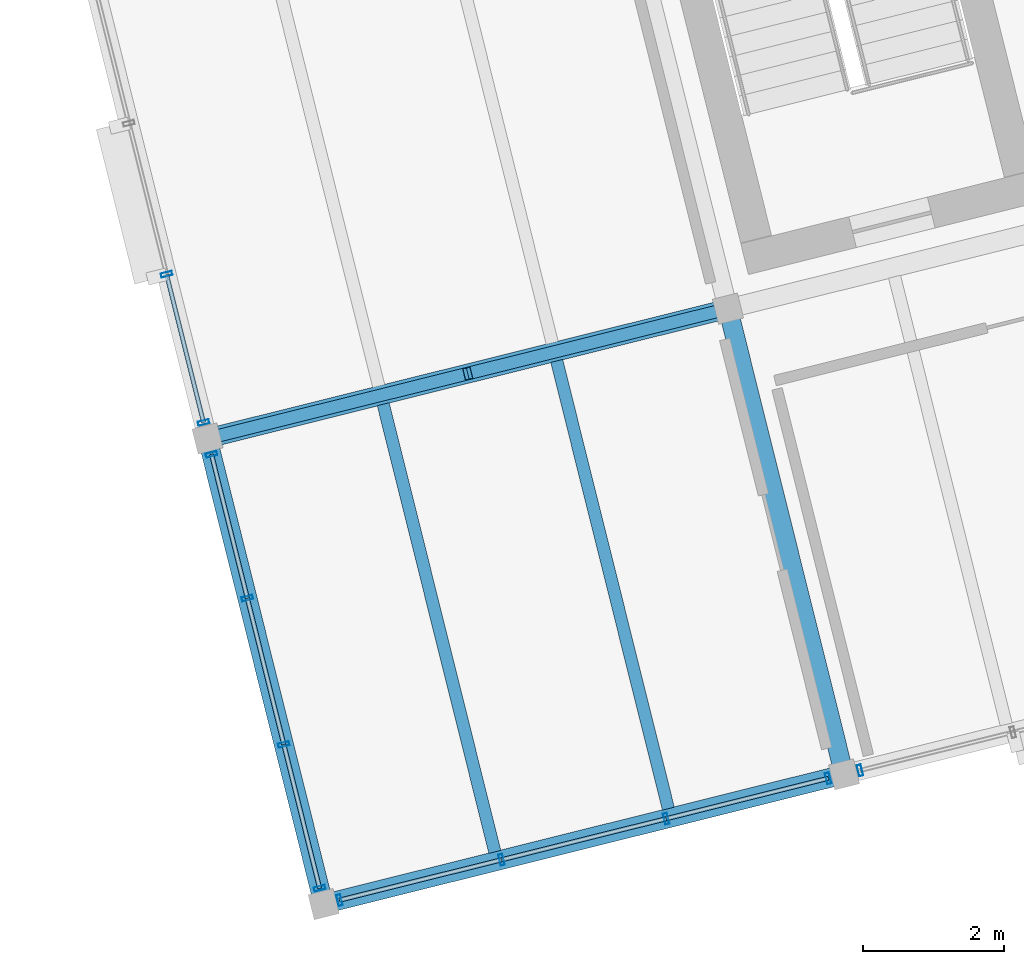
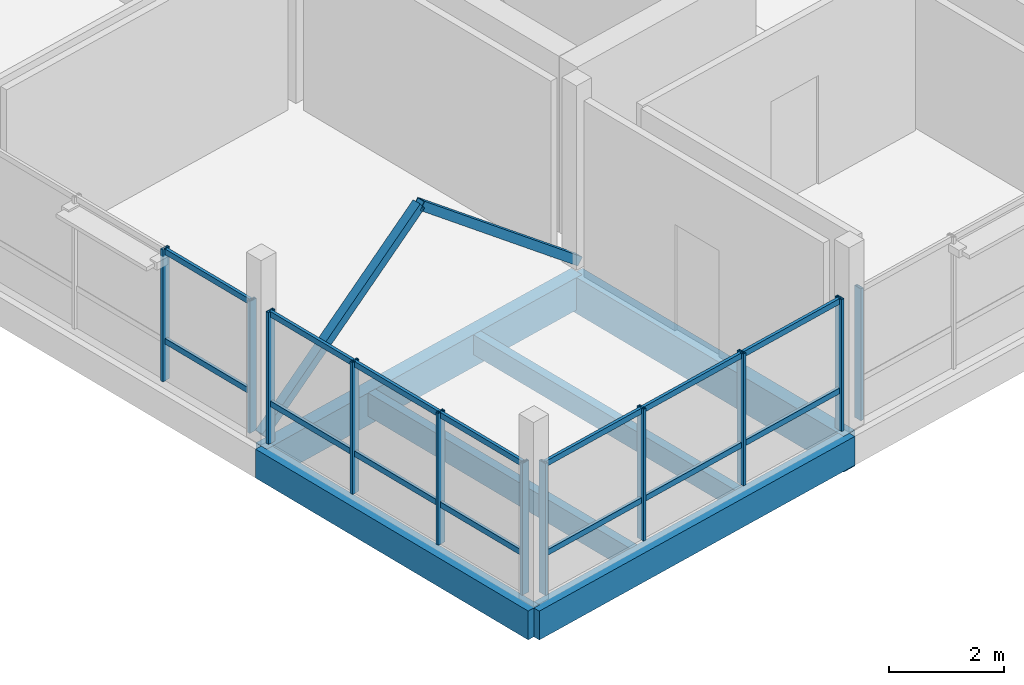
# One storey, part 2 of 28: 27 members, 6 beams, 4 elements without a shape of their own.
"""IFC4 building model written with IfcOpenShell, lengths in metres."""

from ifc_helpers import new_model, si_unit, direction, frame, origin, origin_2d, place, context, subcontext, project, spatial, rectangle, hollow_rectangle, extrude, material, layer, layer_set, material_profile, profile_set, type_object, element, aggregate, save


model = new_model("IFC4")

# Units and contexts
model_context = context("Model", 3, precision=1e-05, world=origin(), true_north=direction((0.0, 1.0)))
body_context = subcontext(model_context, "Body", "Model", "MODEL_VIEW")
ifc_project = project(units=[si_unit("LENGTHUNIT", "METRE"), si_unit("AREAUNIT", "SQUARE_METRE"), si_unit("VOLUMEUNIT", "CUBIC_METRE"), si_unit("PLANEANGLEUNIT", "RADIAN"), si_unit("MASSUNIT", "GRAM", prefix="KILO")], contexts=[model_context])

# Site, building, storey
site_placement = place(None, origin())
site = spatial("IfcSite", under=ifc_project, at=site_placement, CompositionType="ELEMENT")
building_placement = place(site_placement, origin())
building = spatial("IfcBuilding", under=site, at=building_placement, Name="Meriwether Solvik Hall", CompositionType="ELEMENT")
storey_placement = place(building_placement, frame((0.0, 0.0, 45.60009765625)))
storey = spatial("IfcBuildingStorey", under=building, at=storey_placement, Name="L11", CompositionType="ELEMENT", Elevation=45.60009765625)

# Beams
ifc_material_1 = material(Name="Glulam Douglas-Fir 24F-V8 GL28h", Category="wood")
ifc_material_profile_1 = material_profile(ifc_material_1, rectangle(XDim=0.27294921875, YDim=0.610107421875, at=origin_2d()), Name="GLB-273X610")
ifc_profile_set_1 = profile_set([ifc_material_profile_1], Name="Glulam Douglas-Fir 24F-V8 GL28h")
beam_type_1 = type_object("IfcBeamType", Name="BM-GL-273X610", PredefinedType="SPANDREL", material=ifc_profile_set_1)
beam_1_placement = place(storey_placement, frame((68.60009765625, 41.199951171875, -0.505126953125), z_axis=(0.970295366785, 0.241923337436, 0.0), x_axis=(-0.241923337436, 0.970295366785, 0.0)))
element("IfcBeam", 1, at=beam_1_placement, inside=storey, type_object=beam_type_1, Name="Tower Girder TA:T1-T2 (L11)", PredefinedType="SPANDREL", context=body_context, shape_type="SweptSolid", body=[
    extrude(rectangle(XDim=0.27294921875, YDim=0.610107421875, at=origin_2d()), origin(), (0.0, 0.0, 1.0), 7.60009765625),
])
beam_2_placement = place(storey_placement, frame((68.60009765625, 41.199951171875, -0.505126953125), z_axis=(-0.241944251278, 0.970290152106, 0.0), x_axis=(-0.970290152106, -0.241944251278, 0.0)))
element("IfcBeam", 2, at=beam_2_placement, inside=storey, type_object=beam_type_1, Name="Tower Girder T1:TA-TB (L11)", PredefinedType="SPANDREL", context=body_context, shape_type="SweptSolid", body=[
    extrude(rectangle(XDim=0.27294921875, YDim=0.610107421875, at=origin_2d()), origin(), (0.0, 0.0, 1.0), 6.80029296875),
])
ifc_material_2 = material(Name="Glulam Douglas-Fir 24F-V8 GL28h", Category="wood")
ifc_material_profile_2 = material_profile(ifc_material_2, rectangle(XDim=0.27294921875, YDim=0.68505859375, at=origin_2d()), Name="GLB-273X685")
ifc_profile_set_2 = profile_set([ifc_material_profile_2], Name="Glulam Douglas-Fir 24F-V8 GL28h")
beam_type_2 = type_object("IfcBeamType", Name="BM-GL-273X685", PredefinedType="BEAM", material=ifc_profile_set_2)
beam_3_placement = place(storey_placement, frame((66.954833984375, 47.798095703125, -0.54248046875), z_axis=(0.970295366785, 0.241923337436, 0.0), x_axis=(-0.241923337436, 0.970295366785, 0.0)))
element("IfcBeam", 3, at=beam_3_placement, inside=storey, type_object=beam_type_2, Name="Tower Girder TB:T1-T2 (L11)", PredefinedType="BEAM", context=body_context, shape_type="SweptSolid", body=[
    extrude(rectangle(XDim=0.27294921875, YDim=0.68505859375, at=origin_2d()), origin(), (0.0, 0.0, 1.0), 7.60009765625),
])
ifc_material_3 = material(Name="Glulam Douglas-Fir 24F-V8 GL28h", Category="wood")
ifc_material_profile_3 = material_profile(ifc_material_3, rectangle(XDim=0.27294921875, YDim=0.760009765625, at=origin_2d()), Name="GLB-273X760")
ifc_profile_set_3 = profile_set([ifc_material_profile_3], Name="Glulam Douglas-Fir 24F-V8 GL28h")
beam_type_3 = type_object("IfcBeamType", Name="BM-GL-273X760", PredefinedType="BEAM", material=ifc_profile_set_3)
beam_4_placement = place(storey_placement, frame((75.974365234375, 43.03857421875, -0.580078125), z_axis=(-0.241944251278, 0.970290152106, 0.0), x_axis=(-0.970290152106, -0.241944251278, 0.0)))
element("IfcBeam", 4, at=beam_4_placement, inside=storey, type_object=beam_type_3, Name="Tower Girder T2:TA-TB (L11)", PredefinedType="BEAM", context=body_context, shape_type="SweptSolid", body=[
    extrude(rectangle(XDim=0.27294921875, YDim=0.760009765625, at=origin_2d()), origin(), (0.0, 0.0, 1.0), 6.80029296875),
])

# Curtain wall, members
ifc_material_4 = material(Name="Thermally Broken Anodised Aluminium 6063-T6 and Low-E Glass", Category="aluminium")
ifc_layer_1 = layer(ifc_material_4, 0.179931640625)
ifc_layer_set_1 = layer_set([ifc_layer_1], Name="Thermally Broken Anodised Aluminium 6063-T6 and Low-E Glass")
curtain_wall_type_1 = type_object("IfcCurtainWallType", Name="CW-UNIT-B", PredefinedType="USERDEFINED", material=ifc_layer_set_1)
curtain_wall_1_placement = place(storey_placement, origin())
curtain_wall_1 = element("IfcCurtainWall", 5, at=curtain_wall_1_placement, inside=storey, type_object=curtain_wall_type_1, Name="Curtain Wall E0_B0 (L11)", ObjectType="UNITISED CURTAIN WALL", PredefinedType="USERDEFINED")
ifc_material_5 = material(Name="Anodised Aluminium 6063-T6", Category="aluminium")
ifc_material_profile_4 = material_profile(ifc_material_5, hollow_rectangle(XDim=0.06005859375, YDim=0.159912109375, WallThickness=0.00390625, at=origin_2d()), Name="CWM-60X160")
ifc_profile_set_4 = profile_set([ifc_material_profile_4], Name="Anodised Aluminium 6063-T6")
member_type_1 = type_object("IfcMemberType", Name="CW-MUL-60X160", PredefinedType="MULLION", material=ifc_profile_set_4)
member_1_placement = place(storey_placement, frame((75.74853515625, 42.982421875, 0.0), z_axis=(0.0, 0.0, 1.0), x_axis=(-0.970295715501, -0.241921938817, 0.0)))
member_1 = element("IfcMember", 6, at=member_1_placement, type_object=member_type_1, Name="Curtain Wall Mullion 1", PredefinedType="MULLION", context=body_context, shape_type="SweptSolid", body=[
    extrude(hollow_rectangle(XDim=0.06005859375, YDim=0.159912109375, WallThickness=0.00390625, at=origin_2d()), origin(), (0.0, 0.0, 1.0), 2.789794921875),
])
member_2_placement = place(storey_placement, frame((73.453369140625, 42.41015625, 0.0), z_axis=(0.0, 0.0, 1.0), x_axis=(-0.970295715501, -0.241921938817, 0.0)))
member_2 = element("IfcMember", 7, at=member_2_placement, type_object=member_type_1, Name="Curtain Wall Mullion 2", PredefinedType="MULLION", context=body_context, shape_type="SweptSolid", body=[
    extrude(hollow_rectangle(XDim=0.06005859375, YDim=0.159912109375, WallThickness=0.00390625, at=origin_2d()), origin(), (0.0, 0.0, 1.0), 2.789794921875),
])
member_3_placement = place(storey_placement, frame((71.12109375, 41.82861328125, 0.0), z_axis=(0.0, 0.0, 1.0), x_axis=(-0.970295715501, -0.241921938817, 0.0)))
member_3 = element("IfcMember", 8, at=member_3_placement, type_object=member_type_1, Name="Curtain Wall Mullion 3", PredefinedType="MULLION", context=body_context, shape_type="SweptSolid", body=[
    extrude(hollow_rectangle(XDim=0.06005859375, YDim=0.159912109375, WallThickness=0.00390625, at=origin_2d()), origin(), (0.0, 0.0, 1.0), 2.789794921875),
])
member_4_placement = place(storey_placement, frame((68.82568359375, 41.25634765625, 0.0), z_axis=(0.0, 0.0, 1.0), x_axis=(-0.970295715501, -0.241921938817, 0.0)))
member_4 = element("IfcMember", 9, at=member_4_placement, type_object=member_type_1, Name="Curtain Wall Mullion 4", PredefinedType="MULLION", context=body_context, shape_type="SweptSolid", body=[
    extrude(hollow_rectangle(XDim=0.06005859375, YDim=0.159912109375, WallThickness=0.00390625, at=origin_2d()), origin(), (0.0, 0.0, 1.0), 2.789794921875),
])

# Curtain wall, member
ifc_material_6 = material(Name="Thermally Broken Anodised Aluminium 6063-T6 and Low-E Glass", Category="aluminium")
ifc_layer_2 = layer(ifc_material_6, 0.179931640625)
ifc_layer_set_2 = layer_set([ifc_layer_2], Name="Thermally Broken Anodised Aluminium 6063-T6 and Low-E Glass")
curtain_wall_type_2 = type_object("IfcCurtainWallType", Name="CW-UNIT-C", PredefinedType="USERDEFINED", material=ifc_layer_set_2)
curtain_wall_2_placement = place(storey_placement, origin())
curtain_wall_2 = element("IfcCurtainWall", 10, at=curtain_wall_2_placement, inside=storey, type_object=curtain_wall_type_2, Name="Curtain Wall E0_B1 (L11)", ObjectType="UNITISED CURTAIN WALL", PredefinedType="USERDEFINED")
member_5_placement = place(storey_placement, frame((76.199951171875, 43.094970703125, 0.0), z_axis=(0.0, 0.0, 1.0), x_axis=(-0.970295725693, -0.241921897937, 0.0)))
member_5 = element("IfcMember", 11, at=member_5_placement, type_object=member_type_1, Name="Curtain Wall Mullion 4", PredefinedType="MULLION", context=body_context, shape_type="SweptSolid", body=[
    extrude(hollow_rectangle(XDim=0.06005859375, YDim=0.159912109375, WallThickness=0.00390625, at=origin_2d()), origin(), (0.0, 0.0, 1.0), 2.789794921875),
])
aggregate(curtain_wall_2, [member_5])

# Curtain wall, members
ifc_material_7 = material(Name="Thermally Broken Anodised Aluminium 6063-T6 and Low-E Glass", Category="aluminium")
ifc_layer_3 = layer(ifc_material_7, 0.179931640625)
ifc_layer_set_3 = layer_set([ifc_layer_3], Name="Thermally Broken Anodised Aluminium 6063-T6 and Low-E Glass")
curtain_wall_type_3 = type_object("IfcCurtainWallType", Name="CW-UNIT-E", PredefinedType="USERDEFINED", material=ifc_layer_set_3)
curtain_wall_3_placement = place(storey_placement, origin())
curtain_wall_3 = element("IfcCurtainWall", 12, at=curtain_wall_3_placement, inside=storey, type_object=curtain_wall_type_3, Name="Curtain Wall E3_B0 (L11)", ObjectType="UNITISED CURTAIN WALL", PredefinedType="USERDEFINED")
member_6_placement = place(storey_placement, frame((68.543701171875, 41.425537109375, 0.0), z_axis=(0.0, 0.0, 1.0), x_axis=(-0.241921888555, 0.970295728032, 0.0)))
member_6 = element("IfcMember", 13, at=member_6_placement, type_object=member_type_1, Name="Curtain Wall Mullion 1", PredefinedType="MULLION", context=body_context, shape_type="SweptSolid", body=[
    extrude(hollow_rectangle(XDim=0.06005859375, YDim=0.159912109375, WallThickness=0.00390625, at=origin_2d()), origin(), (0.0, 0.0, 1.0), 2.789794921875),
])
member_7_placement = place(storey_placement, frame((68.035888671875, 43.462158203125, 0.0), z_axis=(0.0, 0.0, 1.0), x_axis=(-0.241921888555, 0.970295728032, 0.0)))
member_7 = element("IfcMember", 14, at=member_7_placement, type_object=member_type_1, Name="Curtain Wall Mullion 2", PredefinedType="MULLION", context=body_context, shape_type="SweptSolid", body=[
    extrude(hollow_rectangle(XDim=0.06005859375, YDim=0.159912109375, WallThickness=0.00390625, at=origin_2d()), origin(), (0.0, 0.0, 1.0), 2.789794921875),
])
member_8_placement = place(storey_placement, frame((67.51904296875, 45.535888671875, 0.0), z_axis=(0.0, 0.0, 1.0), x_axis=(-0.241921888555, 0.970295728032, 0.0)))
member_8 = element("IfcMember", 15, at=member_8_placement, type_object=member_type_1, Name="Curtain Wall Mullion 3", PredefinedType="MULLION", context=body_context, shape_type="SweptSolid", body=[
    extrude(hollow_rectangle(XDim=0.06005859375, YDim=0.159912109375, WallThickness=0.00390625, at=origin_2d()), origin(), (0.0, 0.0, 1.0), 2.789794921875),
])
member_9_placement = place(storey_placement, frame((67.01123046875, 47.572509765625, 0.0), z_axis=(0.0, 0.0, 1.0), x_axis=(-0.241921888555, 0.970295728032, 0.0)))
member_9 = element("IfcMember", 16, at=member_9_placement, type_object=member_type_1, Name="Curtain Wall Mullion 4", PredefinedType="MULLION", context=body_context, shape_type="SweptSolid", body=[
    extrude(hollow_rectangle(XDim=0.06005859375, YDim=0.159912109375, WallThickness=0.00390625, at=origin_2d()), origin(), (0.0, 0.0, 1.0), 2.789794921875),
])

ifc_material_8 = material(Name="Thermally Broken Anodised Aluminium 6063-T6 and Low-E Glass", Category="aluminium")
ifc_layer_4 = layer(ifc_material_8, 0.179931640625)
ifc_layer_set_4 = layer_set([ifc_layer_4], Name="Thermally Broken Anodised Aluminium 6063-T6 and Low-E Glass")
curtain_wall_type_4 = type_object("IfcCurtainWallType", Name="CW-UNIT-F", PredefinedType="USERDEFINED", material=ifc_layer_set_4)
curtain_wall_4_placement = place(storey_placement, origin())
curtain_wall_4 = element("IfcCurtainWall", 17, at=curtain_wall_4_placement, inside=storey, type_object=curtain_wall_type_4, Name="Curtain Wall E3_B1 (L11)", ObjectType="UNITISED CURTAIN WALL", PredefinedType="USERDEFINED")
member_10_placement = place(storey_placement, frame((66.898681640625, 48.023681640625, 0.0), z_axis=(0.0, 0.0, 1.0), x_axis=(-0.24192176891, 0.970295757863, 0.0)))
member_10 = element("IfcMember", 18, at=member_10_placement, type_object=member_type_1, Name="Curtain Wall Mullion 1", PredefinedType="MULLION", context=body_context, shape_type="SweptSolid", body=[
    extrude(hollow_rectangle(XDim=0.06005859375, YDim=0.159912109375, WallThickness=0.00390625, at=origin_2d()), origin(), (0.0, 0.0, 1.0), 2.789794921875),
])
member_11_placement = place(storey_placement, frame((66.374755859375, 50.125, 0.0), z_axis=(0.0, 0.0, 1.0), x_axis=(-0.24192176891, 0.970295757863, 0.0)))
member_11 = element("IfcMember", 19, at=member_11_placement, type_object=member_type_1, Name="Curtain Wall Mullion 2", PredefinedType="MULLION", context=body_context, shape_type="SweptSolid", body=[
    extrude(hollow_rectangle(XDim=0.06005859375, YDim=0.159912109375, WallThickness=0.00390625, at=origin_2d()), origin(), (0.0, 0.0, 1.0), 2.789794921875),
])

# Member
ifc_material_9 = material(Name="Anodised Aluminium 6063-T6", Category="aluminium")
ifc_material_profile_5 = material_profile(ifc_material_9, hollow_rectangle(XDim=0.06005859375, YDim=0.1201171875, WallThickness=0.00390625, at=origin_2d()), Name="CWT-60X120")
ifc_profile_set_5 = profile_set([ifc_material_profile_5], Name="Anodised Aluminium 6063-T6")
member_type_2 = type_object("IfcMemberType", Name="CW-TRN-60X120", PredefinedType="USERDEFINED", material=ifc_profile_set_5)
member_12_placement = place(storey_placement, frame((75.74853515625, 42.982421875, 0.8369140625), z_axis=(-0.970294092223, -0.241928449332, 0.0), x_axis=(0.241928449332, -0.970294092223, 0.0)))
member_12 = element("IfcMember", 20, at=member_12_placement, type_object=member_type_2, Name="Curtain Wall Transom 1-sill", ObjectType="TRANSOM", PredefinedType="USERDEFINED", context=body_context, shape_type="SweptSolid", body=[
    extrude(hollow_rectangle(XDim=0.06005859375, YDim=0.1201171875, WallThickness=0.00390625, at=origin_2d()), origin(), (0.0, 0.0, 1.0), 2.365478515625),
])

member_13_placement = place(storey_placement, frame((75.74853515625, 42.982421875, 2.72998046875), z_axis=(-0.970294092223, -0.241928449332, 0.0), x_axis=(0.241928449332, -0.970294092223, 0.0)))
member_13 = element("IfcMember", 21, at=member_13_placement, type_object=member_type_2, Name="Curtain Wall Transom 1-head", ObjectType="TRANSOM", PredefinedType="USERDEFINED", context=body_context, shape_type="SweptSolid", body=[
    extrude(hollow_rectangle(XDim=0.06005859375, YDim=0.1201171875, WallThickness=0.00390625, at=origin_2d()), origin(), (0.0, 0.0, 1.0), 2.365478515625),
])

member_14_placement = place(storey_placement, frame((73.453369140625, 42.41015625, 0.8369140625), z_axis=(-0.970291682811, -0.241938112473, 0.0), x_axis=(0.241938112473, -0.970291682811, 0.0)))
member_14 = element("IfcMember", 22, at=member_14_placement, type_object=member_type_2, Name="Curtain Wall Transom 2-sill", ObjectType="TRANSOM", PredefinedType="USERDEFINED", context=body_context, shape_type="SweptSolid", body=[
    extrude(hollow_rectangle(XDim=0.06005859375, YDim=0.1201171875, WallThickness=0.00390625, at=origin_2d()), origin(), (0.0, 0.0, 1.0), 2.403564453125),
])

member_15_placement = place(storey_placement, frame((73.453369140625, 42.41015625, 2.72998046875), z_axis=(-0.970291682811, -0.241938112473, 0.0), x_axis=(0.241938112473, -0.970291682811, 0.0)))
member_15 = element("IfcMember", 23, at=member_15_placement, type_object=member_type_2, Name="Curtain Wall Transom 2-head", ObjectType="TRANSOM", PredefinedType="USERDEFINED", context=body_context, shape_type="SweptSolid", body=[
    extrude(hollow_rectangle(XDim=0.06005859375, YDim=0.1201171875, WallThickness=0.00390625, at=origin_2d()), origin(), (0.0, 0.0, 1.0), 2.403564453125),
])

member_16_placement = place(storey_placement, frame((71.12109375, 41.82861328125, 0.8369140625), z_axis=(-0.970300132238, -0.241904223566, 0.0), x_axis=(0.241904223566, -0.970300132238, 0.0)))
member_16 = element("IfcMember", 24, at=member_16_placement, type_object=member_type_2, Name="Curtain Wall Transom 3-sill", ObjectType="TRANSOM", PredefinedType="USERDEFINED", context=body_context, shape_type="SweptSolid", body=[
    extrude(hollow_rectangle(XDim=0.06005859375, YDim=0.1201171875, WallThickness=0.00390625, at=origin_2d()), origin(), (0.0, 0.0, 1.0), 2.36572265625),
])

member_17_placement = place(storey_placement, frame((71.12109375, 41.82861328125, 2.72998046875), z_axis=(-0.970300132238, -0.241904223566, 0.0), x_axis=(0.241904223566, -0.970300132238, 0.0)))
member_17 = element("IfcMember", 25, at=member_17_placement, type_object=member_type_2, Name="Curtain Wall Transom 3-head", ObjectType="TRANSOM", PredefinedType="USERDEFINED", context=body_context, shape_type="SweptSolid", body=[
    extrude(hollow_rectangle(XDim=0.06005859375, YDim=0.1201171875, WallThickness=0.00390625, at=origin_2d()), origin(), (0.0, 0.0, 1.0), 2.36572265625),
])

aggregate(curtain_wall_1, [member_1, member_2, member_3, member_4, member_12, member_13, member_14, member_15, member_16, member_17])

member_18_placement = place(storey_placement, frame((68.543701171875, 41.425537109375, 0.8369140625), z_axis=(-0.241933481427, 0.970292837531, 0.0), x_axis=(-0.970292837531, -0.241933481427, 0.0)))
member_18 = element("IfcMember", 26, at=member_18_placement, type_object=member_type_2, Name="Curtain Wall Transom 1-sill", ObjectType="TRANSOM", PredefinedType="USERDEFINED", context=body_context, shape_type="SweptSolid", body=[
    extrude(hollow_rectangle(XDim=0.06005859375, YDim=0.1201171875, WallThickness=0.00390625, at=origin_2d()), origin(), (0.0, 0.0, 1.0), 2.098876953125),
])

member_19_placement = place(storey_placement, frame((68.543701171875, 41.425537109375, 2.72998046875), z_axis=(-0.241933481427, 0.970292837531, 0.0), x_axis=(-0.970292837531, -0.241933481427, 0.0)))
member_19 = element("IfcMember", 27, at=member_19_placement, type_object=member_type_2, Name="Curtain Wall Transom 1-head", ObjectType="TRANSOM", PredefinedType="USERDEFINED", context=body_context, shape_type="SweptSolid", body=[
    extrude(hollow_rectangle(XDim=0.06005859375, YDim=0.1201171875, WallThickness=0.00390625, at=origin_2d()), origin(), (0.0, 0.0, 1.0), 2.098876953125),
])

member_20_placement = place(storey_placement, frame((68.035888671875, 43.462158203125, 0.8369140625), z_axis=(-0.241836709188, 0.970316961662, 0.0), x_axis=(-0.970316961662, -0.241836709188, 0.0)))
member_20 = element("IfcMember", 28, at=member_20_placement, type_object=member_type_2, Name="Curtain Wall Transom 2-sill", ObjectType="TRANSOM", PredefinedType="USERDEFINED", context=body_context, shape_type="SweptSolid", body=[
    extrude(hollow_rectangle(XDim=0.06005859375, YDim=0.1201171875, WallThickness=0.00390625, at=origin_2d()), origin(), (0.0, 0.0, 1.0), 2.13720703125),
])

member_21_placement = place(storey_placement, frame((68.035888671875, 43.462158203125, 2.72998046875), z_axis=(-0.241836709188, 0.970316961662, 0.0), x_axis=(-0.970316961662, -0.241836709188, 0.0)))
member_21 = element("IfcMember", 29, at=member_21_placement, type_object=member_type_2, Name="Curtain Wall Transom 2-head", ObjectType="TRANSOM", PredefinedType="USERDEFINED", context=body_context, shape_type="SweptSolid", body=[
    extrude(hollow_rectangle(XDim=0.06005859375, YDim=0.1201171875, WallThickness=0.00390625, at=origin_2d()), origin(), (0.0, 0.0, 1.0), 2.13720703125),
])

member_22_placement = place(storey_placement, frame((67.51904296875, 45.535888671875, 0.8369140625), z_axis=(-0.241933481427, 0.970292837531, 0.0), x_axis=(-0.970292837531, -0.241933481427, 0.0)))
member_22 = element("IfcMember", 30, at=member_22_placement, type_object=member_type_2, Name="Curtain Wall Transom 3-sill", ObjectType="TRANSOM", PredefinedType="USERDEFINED", context=body_context, shape_type="SweptSolid", body=[
    extrude(hollow_rectangle(XDim=0.06005859375, YDim=0.1201171875, WallThickness=0.00390625, at=origin_2d()), origin(), (0.0, 0.0, 1.0), 2.098876953125),
])

member_23_placement = place(storey_placement, frame((67.51904296875, 45.535888671875, 2.72998046875), z_axis=(-0.241933481427, 0.970292837531, 0.0), x_axis=(-0.970292837531, -0.241933481427, 0.0)))
member_23 = element("IfcMember", 31, at=member_23_placement, type_object=member_type_2, Name="Curtain Wall Transom 3-head", ObjectType="TRANSOM", PredefinedType="USERDEFINED", context=body_context, shape_type="SweptSolid", body=[
    extrude(hollow_rectangle(XDim=0.06005859375, YDim=0.1201171875, WallThickness=0.00390625, at=origin_2d()), origin(), (0.0, 0.0, 1.0), 2.098876953125),
])

aggregate(curtain_wall_3, [member_6, member_7, member_8, member_9, member_18, member_19, member_20, member_21, member_22, member_23])

member_24_placement = place(storey_placement, frame((66.898681640625, 48.023681640625, 0.8369140625), z_axis=(-0.241925491414, 0.970294829732, 0.0), x_axis=(-0.970294829732, -0.241925491414, 0.0)))
member_24 = element("IfcMember", 32, at=member_24_placement, type_object=member_type_2, Name="Curtain Wall Transom 1-sill", ObjectType="TRANSOM", PredefinedType="USERDEFINED", context=body_context, shape_type="SweptSolid", body=[
    extrude(hollow_rectangle(XDim=0.06005859375, YDim=0.1201171875, WallThickness=0.00390625, at=origin_2d()), origin(), (0.0, 0.0, 1.0), 2.16552734375),
])

member_25_placement = place(storey_placement, frame((66.898681640625, 48.023681640625, 2.72998046875), z_axis=(-0.241925491414, 0.970294829732, 0.0), x_axis=(-0.970294829732, -0.241925491414, 0.0)))
member_25 = element("IfcMember", 33, at=member_25_placement, type_object=member_type_2, Name="Curtain Wall Transom 1-head", ObjectType="TRANSOM", PredefinedType="USERDEFINED", context=body_context, shape_type="SweptSolid", body=[
    extrude(hollow_rectangle(XDim=0.06005859375, YDim=0.1201171875, WallThickness=0.00390625, at=origin_2d()), origin(), (0.0, 0.0, 1.0), 2.16552734375),
])

aggregate(curtain_wall_4, [member_10, member_11, member_24, member_25])

# Beams
ifc_material_10 = material(Name="Glulam Douglas-Fir 24F-V8 GL28h", Category="wood")
ifc_material_profile_6 = material_profile(ifc_material_10, rectangle(XDim=0.175048828125, YDim=0.419921875, at=origin_2d()), Name="GLJ-175X420")
ifc_profile_set_6 = profile_set([ifc_material_profile_6], Name="Glulam Douglas-Fir 24F-V8 GL28h")
beam_type_4 = type_object("IfcBeamType", Name="JST-GL-175X420", PredefinedType="JOIST", material=ifc_profile_set_6)
beam_5_placement = place(storey_placement, frame((73.484375, 42.55322265625, -0.41015625), z_axis=(-0.241929249708, 0.970293892661, 0.0), x_axis=(-0.970293892661, -0.241929249708, 0.0)))
element("IfcBeam", 34, at=beam_5_placement, inside=storey, type_object=beam_type_4, Name="Glulam Floor Joist T1/TA-J2 (L11)", PredefinedType="JOIST", context=body_context, shape_type="SweptSolid", body=[
    extrude(rectangle(XDim=0.175048828125, YDim=0.419921875, at=origin_2d()), origin(), (0.0, 0.0, 1.0), 6.537109375),
])
ifc_material_11 = material(Name="Glulam Douglas-Fir 24F-V8 GL28h", Category="wood")
ifc_material_profile_7 = material_profile(ifc_material_11, rectangle(XDim=0.175048828125, YDim=0.4951171875, at=origin_2d()), Name="GLJ-175X495")
ifc_profile_set_7 = profile_set([ifc_material_profile_7], Name="Glulam Douglas-Fir 24F-V8 GL28h")
beam_type_5 = type_object("IfcBeamType", Name="JST-GL-175X495", PredefinedType="JOIST", material=ifc_profile_set_7)
beam_6_placement = place(storey_placement, frame((71.026123046875, 41.9404296875, -0.447509765625), z_axis=(-0.241902854765, 0.970300473491, 0.0), x_axis=(-0.970300473491, -0.241902854765, 0.0)))
element("IfcBeam", 35, at=beam_6_placement, inside=storey, type_object=beam_type_5, Name="Glulam Floor Joist T1/TA-J1 (L11)", PredefinedType="JOIST", context=body_context, shape_type="SweptSolid", body=[
    extrude(rectangle(XDim=0.175048828125, YDim=0.4951171875, at=origin_2d()), origin(), (0.0, 0.0, 1.0), 6.536865234375),
])

# Members
ifc_material_12 = material(Name="Steel A500 Grade C", Category="steel")
ifc_material_profile_8 = material_profile(ifc_material_12, hollow_rectangle(XDim=0.177978515625, YDim=0.177978515625, WallThickness=0.009521484375, at=origin_2d()), Name="HSS178X178X9.5")
ifc_profile_set_8 = profile_set([ifc_material_profile_8], Name="Steel A500 Grade C")
member_type_3 = type_object("IfcMemberType", Name="MEM-BR-HSS178", PredefinedType="BRACE", material=ifc_profile_set_8)
member_26_placement = place(storey_placement, frame((66.954833984375, 47.798095703125, 0.0498046875), z_axis=(0.759133840531, 0.189243124518, 0.622818474344), x_axis=(-0.241885553952, 0.970304786544, 0.0)))
element("IfcMember", 36, at=member_26_placement, inside=storey, type_object=member_type_3, Name="Tower Chevron Brace L11-B1A", PredefinedType="BRACE", context=body_context, shape_type="SweptSolid", body=[
    extrude(hollow_rectangle(XDim=0.177978515625, YDim=0.177978515625, WallThickness=0.009521484375, at=origin_2d()), origin(), (0.0, 0.0, 1.0), 4.857177734375),
])
member_27_placement = place(storey_placement, frame((74.3291015625, 49.63671875, 0.0498046875), z_axis=(-0.759105319612, -0.189298810334, 0.622836314085), x_axis=(0.241961122321, -0.970285945114, 0.0)))
element("IfcMember", 37, at=member_27_placement, inside=storey, type_object=member_type_3, Name="Tower Chevron Brace L11-B1B", PredefinedType="BRACE", context=body_context, shape_type="SweptSolid", body=[
    extrude(hollow_rectangle(XDim=0.177978515625, YDim=0.177978515625, WallThickness=0.009521484375, at=origin_2d()), origin(), (0.0, 0.0, 1.0), 4.85693359375),
])

save(model, "model.ifc")
